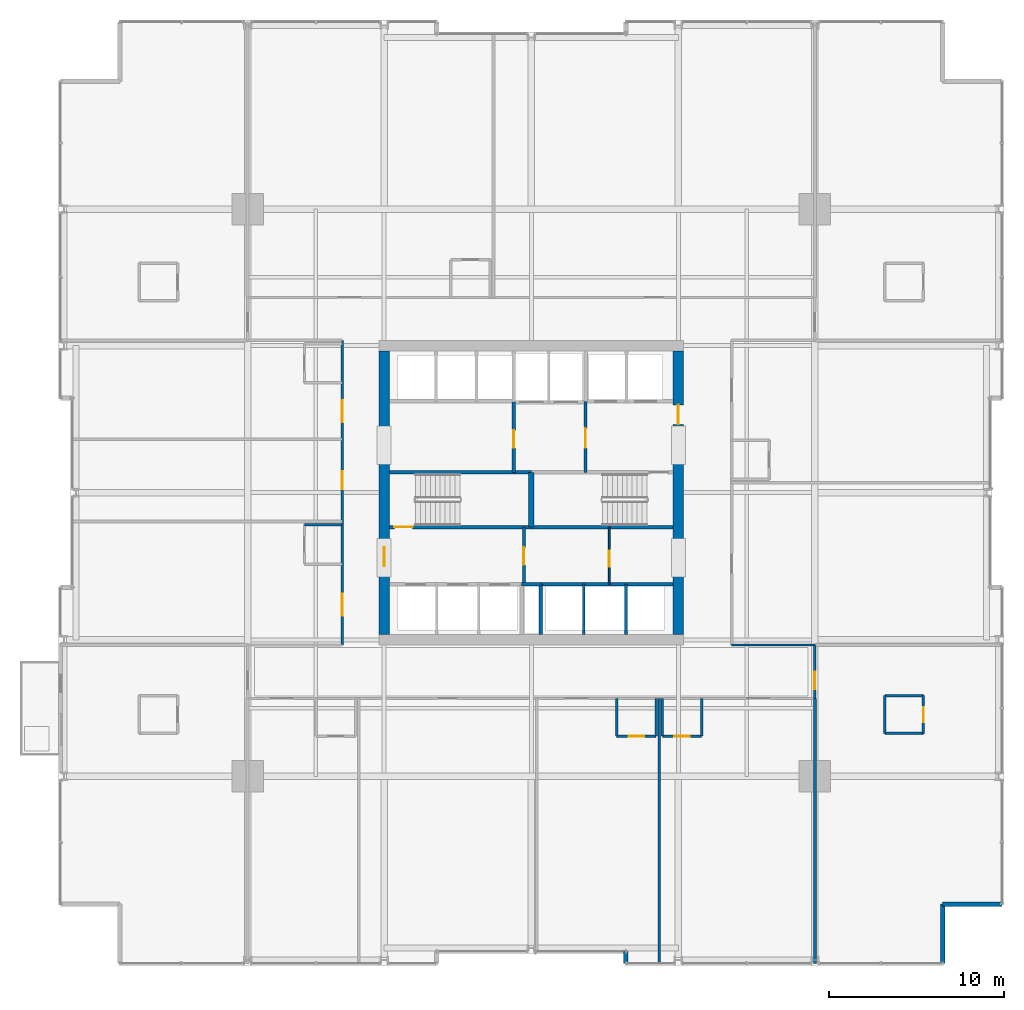
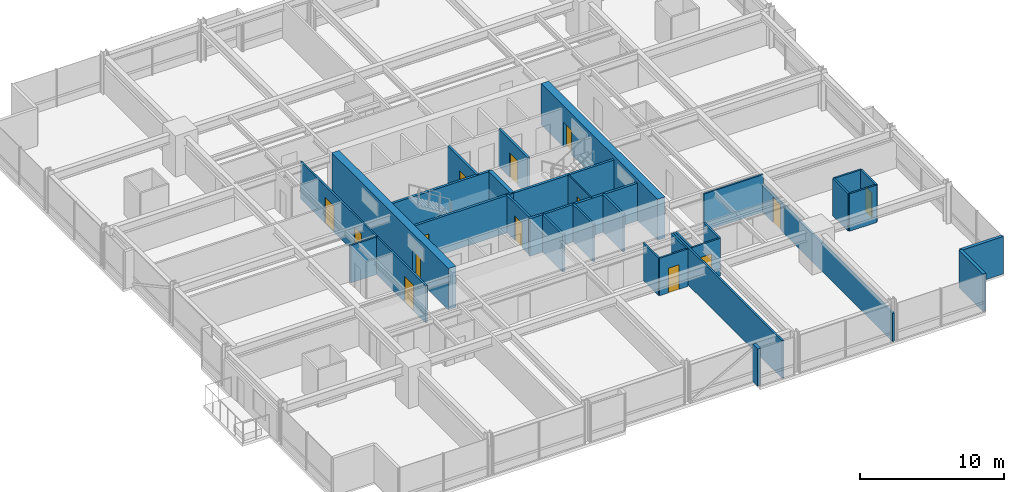
# One storey, part 31 of 37: 34 walls, 14 doors, 14 openings.
"""IFC4 building model written with IfcOpenShell, lengths in metres."""

from ifc_helpers import new_model, si_unit, direction, frame, frame_2d, origin, place, context, subcontext, project, spatial, rectangle, extrude, material, layer, layer_set, type_object, element, fill, save


model = new_model("IFC4")

# Units and contexts
model_context = context("Model", 3, precision=1e-05, world=origin(), true_north=direction((0.0, 1.0)))
body_context = subcontext(model_context, "Body", "Model", "MODEL_VIEW")
ifc_project = project(units=[si_unit("LENGTHUNIT", "METRE"), si_unit("AREAUNIT", "SQUARE_METRE"), si_unit("VOLUMEUNIT", "CUBIC_METRE"), si_unit("PLANEANGLEUNIT", "RADIAN"), si_unit("MASSUNIT", "GRAM", prefix="KILO")], contexts=[model_context])

# Site, building, storey
site_placement = place(None, origin())
site = spatial("IfcSite", under=ifc_project, at=site_placement, CompositionType="ELEMENT")
building_placement = place(site_placement, origin())
building = spatial("IfcBuilding", under=site, at=building_placement, Name="Drelvath Grand Hotel", CompositionType="ELEMENT")
storey_placement = place(building_placement, frame((0.0, 0.0, 78.699951171875)))
storey = spatial("IfcBuildingStorey", under=building, at=storey_placement, Name="L19", CompositionType="ELEMENT", Elevation=78.699951171875)

# Wall, opening, door
ifc_material_1 = material(Name="Gypsum Partition Board")
ifc_layer_1 = layer(ifc_material_1, 0.10009765625)
ifc_layer_set_1 = layer_set([ifc_layer_1], Name="Gypsum Partition Board")
wall_type_1 = type_object("IfcWallType", Name="Core Closet Partition 100", PredefinedType="PARTITIONING", material=ifc_layer_set_1)
wall_1_placement = place(storey_placement, frame((4.4599609375, 21.780029296875, 0.0), z_axis=(0.0, 0.0, 1.0), x_axis=(0.0, 1.0, 0.0)))
wall_1 = element("IfcWall", 1, at=wall_1_placement, inside=storey, type_object=wall_type_1, Name="L19 Housekeeping Split Wall", PredefinedType="PARTITIONING", context=body_context, shape_type="SweptSolid", body=[
    extrude(rectangle(XDim=3.260009765625, YDim=0.10009765625, at=frame_2d((1.6298828125, 0.0))), origin(), (0.0, 0.0, 1.0), 3.179931640625),
])
opening_1_placement = place(wall_1_placement, frame((1.0, 0.0, 0.0)))
opening_1 = element("IfcOpeningElement", 2, at=opening_1_placement, cuts=wall_1, Name="Opening D-T1G5-015", PredefinedType="OPENING", context=body_context, shape_type="SweptSolid", body=[
    extrude(rectangle(XDim=0.919921875, YDim=2.10009765625, at=frame_2d((0.4599609375, 1.050048828125))), frame((0.0, 0.06005859375, 0.0), z_axis=(0.0, -1.0, 0.0), x_axis=(1.0, 0.0, 0.0)), (0.0, 0.0, 1.0), 0.1201171875),
])
ifc_material_2 = material(Name="Painted Steel S275", Category="steel")
door_type_1 = type_object("IfcDoorType", Name="Staff Utility Door 920x2100", OperationType="NOTDEFINED", PredefinedType="DOOR", material=ifc_material_2)
door_1_placement = place(opening_1_placement, origin())
door_1 = element("IfcDoor", 3, at=door_1_placement, inside=storey, type_object=door_type_1, Name="L19 Core Store Door", OperationType="SINGLE_SWING_RIGHT", OverallHeight=2.10009765625, OverallWidth=0.919921875, PredefinedType="DOOR", context=body_context, shape_type="SweptSolid", body=[
    extrude(rectangle(XDim=0.919921875, YDim=2.10009765625, at=frame_2d((0.4599609375, 1.050048828125))), frame((0.0, 0.02490234375, 0.0), z_axis=(0.0, -1.0, 0.0), x_axis=(1.0, 0.0, 0.0)), (0.0, 0.0, 1.0), 0.050048828125),
])
fill(opening_1, door_1)

# Walls
ifc_material_3 = material(Name="Concrete C40/50", Category="concrete")
ifc_layer_2 = layer(ifc_material_3, 0.199951171875)
ifc_layer_set_2 = layer_set([ifc_layer_2], Name="Concrete C40/50")
wall_type_2 = type_object("IfcWallType", Name="Core Hoistway Fire Wall 200", PredefinedType="SOLIDWALL", material=ifc_layer_set_2)
wall_2_placement = place(storey_placement, frame((8.10009765625, 21.780029296875, 0.0), z_axis=(0.0, 0.0, 1.0), x_axis=(-1.0, 0.0, 0.0)))
element("IfcWall", 4, at=wall_2_placement, inside=storey, type_object=wall_type_2, Name="L19 Bank 2 Hoistway Wall", PredefinedType="SOLIDWALL", context=body_context, shape_type="SweptSolid", body=[
    extrude(rectangle(XDim=7.550048828125, YDim=0.199951171875, at=frame_2d((3.77490234375, 0.0))), origin(), (0.0, 0.0, 1.0), 3.179931640625),
])
wall_3_placement = place(storey_placement, frame((0.550048828125, 18.89990234375, 0.0), z_axis=(0.0, 0.0, 1.0), x_axis=(0.0, 1.0, 0.0)))
element("IfcWall", 5, at=wall_3_placement, inside=storey, type_object=wall_type_2, Name="L19 Bank 2 West Wall", PredefinedType="SOLIDWALL", context=body_context, shape_type="SweptSolid", body=[
    extrude(rectangle(XDim=2.880126953125, YDim=0.199951171875, at=frame_2d((1.43994140625, 0.0))), origin(), (0.0, 0.0, 1.0), 3.179931640625),
])
wall_4_placement = place(storey_placement, frame((-0.550048828125, 21.780029296875, 0.0), z_axis=(0.0, 0.0, 1.0), x_axis=(1.0, 0.0, 0.0)))
element("IfcWall", 6, at=wall_4_placement, inside=storey, type_object=wall_type_2, Name="L19 Core Riser Wall", PredefinedType="SOLIDWALL", context=body_context, shape_type="SweptSolid", body=[
    extrude(rectangle(XDim=1.10009765625, YDim=0.199951171875, at=frame_2d((0.550048828125, 0.0))), origin(), (0.0, 0.0, 1.0), 3.179931640625),
])

# Wall, opening, door
ifc_layer_3 = layer(ifc_material_3, 0.199951171875)
ifc_layer_set_3 = layer_set([ifc_layer_3], Name="Concrete C40/50")
wall_type_3 = type_object("IfcWallType", Name="Core Shaft Fire Wall 200", PredefinedType="SOLIDWALL", material=ifc_layer_set_3)
wall_5_placement = place(storey_placement, frame((-8.10009765625, 25.0400390625, 0.0), z_axis=(0.0, 0.0, 1.0), x_axis=(1.0, 0.0, 0.0)))
wall_5 = element("IfcWall", 7, at=wall_5_placement, inside=storey, type_object=wall_type_3, Name="L19 Stair ST-1 South Wall", PredefinedType="SOLIDWALL", context=body_context, shape_type="SweptSolid", body=[
    extrude(rectangle(XDim=8.10009765625, YDim=0.199951171875, at=frame_2d((4.050048828125, 0.0))), origin(), (0.0, 0.0, 1.0), 3.179931640625),
])
opening_2_placement = place(wall_5_placement, frame((0.280029296875, 0.0, 0.0)))
opening_2 = element("IfcOpeningElement", 8, at=opening_2_placement, cuts=wall_5, Name="Opening D-T1G5-001", PredefinedType="OPENING", context=body_context, shape_type="SweptSolid", body=[
    extrude(rectangle(XDim=1.050048828125, YDim=2.10009765625, at=frame_2d((0.52490234375, 1.050048828125))), frame((0.0, 0.10986328125, 0.0), z_axis=(0.0, -1.0, 0.0), x_axis=(1.0, 0.0, 0.0)), (0.0, 0.0, 1.0), 0.219970703125),
])
door_type_2 = type_object("IfcDoorType", Name="Tower Stairwell Fire Door 1050x2100", OperationType="NOTDEFINED", PredefinedType="DOOR", material=ifc_material_2)
door_2_placement = place(opening_2_placement, origin())
door_2 = element("IfcDoor", 9, at=door_2_placement, inside=storey, type_object=door_type_2, Name="L19 Exit Stair ST-1 Door", OperationType="SINGLE_SWING_LEFT", OverallHeight=2.10009765625, OverallWidth=1.050048828125, PredefinedType="DOOR", context=body_context, shape_type="SweptSolid", body=[
    extrude(rectangle(XDim=1.050048828125, YDim=2.10009765625, at=frame_2d((0.52490234375, 1.050048828125))), frame((0.0, 0.02490234375, 0.0), z_axis=(0.0, -1.0, 0.0), x_axis=(1.0, 0.0, 0.0)), (0.0, 0.0, 1.0), 0.050048828125),
])
fill(opening_2, door_2)

# Walls
for number, where, z_axis, x_axis, name in (
    (10, (-8.10009765625, 28.159912109375, 0.0), (0.0, 0.0, 1.0), (1.0, 0.0, 0.0), "L19 Stair ST-1 North Wall"),
    (11, (0.0, 25.0400390625, 0.0), (0.0, 0.0, 1.0), (1.0, 0.0, 0.0), "L19 Stair ST-2 South Wall"),
):
    element("IfcWall", number, at=place(storey_placement, frame(where, z_axis=z_axis, x_axis=x_axis)), inside=storey, type_object=wall_type_3, Name=name, PredefinedType="SOLIDWALL", context=body_context, shape_type="SweptSolid", body=[
        extrude(rectangle(XDim=8.10009765625, YDim=0.199951171875, at=frame_2d((4.050048828125, 0.0))), origin(), (0.0, 0.0, 1.0), 3.179931640625),
    ])
ifc_layer_4 = layer(ifc_material_3, 0.300048828125)
ifc_layer_set_4 = layer_set([ifc_layer_4], Name="Concrete C40/50")
wall_type_4 = type_object("IfcWallType", Name="Core Shaft Fire Wall 300", PredefinedType="SOLIDWALL", material=ifc_layer_set_4)
wall_6_placement = place(storey_placement, frame((0.0, 25.0400390625, 0.0), z_axis=(0.0, 0.0, 1.0), x_axis=(0.0, 1.0, 0.0)))
element("IfcWall", 12, at=wall_6_placement, inside=storey, type_object=wall_type_4, Name="L19 Core Stair Divider Wall", PredefinedType="SOLIDWALL", context=body_context, shape_type="SweptSolid", body=[
    extrude(rectangle(XDim=3.119873046875, YDim=0.300048828125, at=frame_2d((1.56005859375, 0.0))), origin(), (0.0, 0.0, 1.0), 3.179931640625),
])
ifc_material_4 = material(Name="Gypsum Fireboard Partition")
ifc_layer_5 = layer(ifc_material_4, 0.1650390625)
ifc_layer_set_5 = layer_set([ifc_layer_5], Name="Gypsum Fireboard Partition")
wall_type_5 = type_object("IfcWallType", Name="Core Shaft Partition 165", PredefinedType="PARTITIONING", material=ifc_layer_set_5)
for number, where, z_axis, x_axis, name in (
    (13, (3.0, 18.89990234375, 0.0), (0.0, 0.0, 1.0), (0.0, 1.0, 0.0), "L19 Lift PE-4/5 Divider"),
    (14, (5.39990234375, 18.89990234375, 0.0), (0.0, 0.0, 1.0), (0.0, 1.0, 0.0), "L19 Lift PE-5/6 Divider"),
):
    element("IfcWall", number, at=place(storey_placement, frame(where, z_axis=z_axis, x_axis=x_axis)), inside=storey, type_object=wall_type_5, Name=name, PredefinedType="PARTITIONING", context=body_context, shape_type="SweptSolid", body=[
        extrude(rectangle(XDim=2.880126953125, YDim=0.1650390625, at=frame_2d((1.43994140625, 0.0))), origin(), (0.0, 0.0, 1.0), 3.179931640625),
    ])
ifc_layer_6 = layer(ifc_material_4, 0.135009765625)
ifc_layer_set_6 = layer_set([ifc_layer_6], Name="Gypsum Fireboard Partition")
wall_type_6 = type_object("IfcWallType", Name="Corridor Fire Barrier Wall 135", PredefinedType="PARTITIONING", material=ifc_layer_set_6)
wall_7_placement = place(storey_placement, frame((11.449951171875, 18.300048828125, 0.0), z_axis=(0.0, 0.0, 1.0), x_axis=(1.0, 0.0, 0.0)))
element("IfcWall", 15, at=wall_7_placement, inside=storey, type_object=wall_type_6, Name="L19 SE Spur Inner Wall", PredefinedType="PARTITIONING", context=body_context, shape_type="SweptSolid", body=[
    extrude(rectangle(XDim=4.75, YDim=0.135009765625, at=frame_2d((2.375, 0.0))), origin(), (0.0, 0.0, 1.0), 3.179931640625),
])

# Wall, openings, doors
wall_8_placement = place(storey_placement, frame((-10.800048828125, 18.300048828125, 0.0), z_axis=(0.0, 0.0, 1.0), x_axis=(0.0, 1.0, 0.0)))
wall_8 = element("IfcWall", 16, at=wall_8_placement, inside=storey, type_object=wall_type_6, Name="L19 West Corridor Wall", PredefinedType="PARTITIONING", context=body_context, shape_type="SweptSolid", body=[
    extrude(rectangle(XDim=17.39990234375, YDim=0.135009765625, at=frame_2d((8.699951171875, 0.0))), origin(), (0.0, 0.0, 1.0), 3.179931640625),
])
opening_3_placement = place(wall_8_placement, frame((1.681884765625, 0.0, 0.0)))
opening_3 = element("IfcOpeningElement", 17, at=opening_3_placement, cuts=wall_8, Name="Opening D-T1G5-035", PredefinedType="OPENING", context=body_context, shape_type="SweptSolid", body=[
    extrude(rectangle(XDim=1.260009765625, YDim=2.199951171875, at=frame_2d((0.6298828125, 1.10009765625))), frame((0.0, 0.077392578125, 0.0), z_axis=(0.0, -1.0, 0.0), x_axis=(1.0, 0.0, 0.0)), (0.0, 0.0, 1.0), 0.155029296875),
])
opening_4_placement = place(wall_8_placement, frame((8.8955078125, 0.0, 0.0)))
opening_4 = element("IfcOpeningElement", 18, at=opening_4_placement, cuts=wall_8, Name="Opening D-T1G5-036", PredefinedType="OPENING", context=body_context, shape_type="SweptSolid", body=[
    extrude(rectangle(XDim=1.02001953125, YDim=2.14990234375, at=frame_2d((0.510009765625, 1.074951171875))), frame((0.0, 0.077392578125, 0.0), z_axis=(0.0, -1.0, 0.0), x_axis=(1.0, 0.0, 0.0)), (0.0, 0.0, 1.0), 0.155029296875),
])
opening_5_placement = place(wall_8_placement, frame((12.7333984375, 0.0, 0.0)))
opening_5 = element("IfcOpeningElement", 19, at=opening_5_placement, cuts=wall_8, Name="Opening D-T1G5-038", PredefinedType="OPENING", context=body_context, shape_type="SweptSolid", body=[
    extrude(rectangle(XDim=1.260009765625, YDim=2.199951171875, at=frame_2d((0.6298828125, 1.10009765625))), frame((0.0, 0.077392578125, 0.0), z_axis=(0.0, -1.0, 0.0), x_axis=(1.0, 0.0, 0.0)), (0.0, 0.0, 1.0), 0.155029296875),
])
ifc_material_5 = material(Name="Hardwood Walnut Timber", Category="wood")
door_type_3 = type_object("IfcDoorType", Name="Amenity Meeting Fire Door 1020x2150", OperationType="NOTDEFINED", PredefinedType="DOOR", material=ifc_material_5)
door_3_placement = place(opening_4_placement, origin())
door_3 = element("IfcDoor", 20, at=door_3_placement, inside=storey, type_object=door_type_3, Name="L19 Massage Therapy Room Entry Door", OperationType="SINGLE_SWING_LEFT", OverallHeight=2.14990234375, OverallWidth=1.02001953125, PredefinedType="DOOR", context=body_context, shape_type="SweptSolid", body=[
    extrude(rectangle(XDim=1.02001953125, YDim=2.14990234375, at=frame_2d((0.510009765625, 1.074951171875))), frame((0.0, 0.02490234375, 0.0), z_axis=(0.0, -1.0, 0.0), x_axis=(1.0, 0.0, 0.0)), (0.0, 0.0, 1.0), 0.050048828125),
])
fill(opening_4, door_3)
door_type_4 = type_object("IfcDoorType", Name="Suite Entrance Fire Door 1260x2200", OperationType="NOTDEFINED", PredefinedType="DOOR", material=ifc_material_5)
door_4_placement = place(opening_3_placement, origin())
door_4 = element("IfcDoor", 21, at=door_4_placement, inside=storey, type_object=door_type_4, Name="L19 Corner Suite Entry Door", OperationType="SINGLE_SWING_RIGHT", OverallHeight=2.199951171875, OverallWidth=1.260009765625, PredefinedType="DOOR", context=body_context, shape_type="SweptSolid", body=[
    extrude(rectangle(XDim=1.260009765625, YDim=2.199951171875, at=frame_2d((0.6298828125, 1.10009765625))), frame((0.0, 0.02490234375, 0.0), z_axis=(0.0, -1.0, 0.0), x_axis=(1.0, 0.0, 0.0)), (0.0, 0.0, 1.0), 0.050048828125),
])
fill(opening_3, door_4)
door_5_placement = place(opening_5_placement, origin())
door_5 = element("IfcDoor", 22, at=door_5_placement, inside=storey, type_object=door_type_4, Name="L19 Corner Suite Entry Door", OperationType="SINGLE_SWING_LEFT", OverallHeight=2.199951171875, OverallWidth=1.260009765625, PredefinedType="DOOR", context=body_context, shape_type="SweptSolid", body=[
    extrude(rectangle(XDim=1.260009765625, YDim=2.199951171875, at=frame_2d((0.6298828125, 1.10009765625))), frame((0.0, 0.02490234375, 0.0), z_axis=(0.0, -1.0, 0.0), x_axis=(1.0, 0.0, 0.0)), (0.0, 0.0, 1.0), 0.050048828125),
])
fill(opening_5, door_5)

# Wall, opening, door
wall_9_placement = place(storey_placement, frame((16.199951171875, 15.25, 0.0), z_axis=(0.0, 0.0, 1.0), x_axis=(0.0, 1.0, 0.0)))
wall_9 = element("IfcWall", 23, at=wall_9_placement, inside=storey, type_object=wall_type_6, Name="L19 South Corridor East End", PredefinedType="PARTITIONING", context=body_context, shape_type="SweptSolid", body=[
    extrude(rectangle(XDim=3.050048828125, YDim=0.135009765625, at=frame_2d((1.52490234375, 0.0))), origin(), (0.0, 0.0, 1.0), 2.391845703125),
])
opening_6_placement = place(wall_9_placement, frame((0.52001953125, 0.0, 0.0)))
opening_6 = element("IfcOpeningElement", 24, at=opening_6_placement, cuts=wall_9, Name="Opening D-T1G5-019", PredefinedType="OPENING", context=body_context, shape_type="SweptSolid", body=[
    extrude(rectangle(XDim=1.02001953125, YDim=2.14990234375, at=frame_2d((0.510009765625, 1.074951171875))), frame((0.0, 0.077392578125, 0.0), z_axis=(0.0, -1.0, 0.0), x_axis=(1.0, 0.0, 0.0)), (0.0, 0.0, 1.0), 0.155029296875),
])
door_6_placement = place(opening_6_placement, origin())
door_6 = element("IfcDoor", 25, at=door_6_placement, inside=storey, type_object=door_type_3, Name="L19 Corner Suite Entry Door", OperationType="SINGLE_SWING_RIGHT", OverallHeight=2.14990234375, OverallWidth=1.02001953125, PredefinedType="DOOR", context=body_context, shape_type="SweptSolid", body=[
    extrude(rectangle(XDim=1.02001953125, YDim=2.14990234375, at=frame_2d((0.510009765625, 1.074951171875))), frame((0.0, 0.02490234375, 0.0), z_axis=(0.0, -1.0, 0.0), x_axis=(1.0, 0.0, 0.0)), (0.0, 0.0, 1.0), 0.050048828125),
])
fill(opening_6, door_6)

# Walls
ifc_material_6 = material(Name="Moisture-Resistant Gypsum Board")
ifc_layer_7 = layer(ifc_material_6, 0.139892578125)
ifc_layer_set_7 = layer_set([ifc_layer_7], Name="Moisture-Resistant Gypsum Board")
wall_type_7 = type_object("IfcWallType", Name="En-Suite Plumbing Wall 140", PredefinedType="PLUMBINGWALL", material=ifc_layer_set_7)
for number, where, z_axis, x_axis, name in (
    (26, (20.199951171875, 13.260009765625, 0.0), (0.0, 0.0, 1.0), (1.0, 0.0, 0.0), "L19 Corner En-Suite South"),
    (27, (20.199951171875, 15.409912109375, 0.0), (0.0, 0.0, 1.0), (1.0, 0.0, 0.0), "L19 Corner En-Suite North"),
):
    element("IfcWall", number, at=place(storey_placement, frame(where, z_axis=z_axis, x_axis=x_axis)), inside=storey, type_object=wall_type_7, Name=name, PredefinedType="PLUMBINGWALL", context=body_context, shape_type="SweptSolid", body=[
        extrude(rectangle(XDim=2.199951171875, YDim=0.139892578125, at=frame_2d((1.10009765625, 0.0))), origin(), (0.0, 0.0, 1.0), 3.179931640625),
    ])
wall_10_placement = place(storey_placement, frame((20.199951171875, 13.260009765625, 0.0), z_axis=(0.0, 0.0, 1.0), x_axis=(0.0, 1.0, 0.0)))
element("IfcWall", 28, at=wall_10_placement, inside=storey, type_object=wall_type_7, Name="L19 Corner En-Suite West", PredefinedType="PLUMBINGWALL", context=body_context, shape_type="SweptSolid", body=[
    extrude(rectangle(XDim=2.14990234375, YDim=0.139892578125, at=frame_2d((1.074951171875, 0.0))), origin(), (0.0, 0.0, 1.0), 3.179931640625),
])

# Wall, opening, door
wall_11_placement = place(storey_placement, frame((22.39990234375, 13.260009765625, 0.0), z_axis=(0.0, 0.0, 1.0), x_axis=(0.0, 1.0, 0.0)))
wall_11 = element("IfcWall", 29, at=wall_11_placement, inside=storey, type_object=wall_type_7, Name="L19 Corner En-Suite East", PredefinedType="PLUMBINGWALL", context=body_context, shape_type="SweptSolid", body=[
    extrude(rectangle(XDim=2.14990234375, YDim=0.139892578125, at=frame_2d((1.074951171875, 0.0))), origin(), (0.0, 0.0, 1.0), 3.179931640625),
])
opening_7_placement = place(wall_11_placement, frame((0.6201171875, 0.0, 0.0)))
opening_7 = element("IfcOpeningElement", 30, at=opening_7_placement, cuts=wall_11, Name="Opening D-T1G5-018", PredefinedType="OPENING", context=body_context, shape_type="SweptSolid", body=[
    extrude(rectangle(XDim=0.8798828125, YDim=2.10009765625, at=frame_2d((0.43994140625, 1.050048828125))), frame((0.0, 0.079833984375, 0.0), z_axis=(0.0, -1.0, 0.0), x_axis=(1.0, 0.0, 0.0)), (0.0, 0.0, 1.0), 0.159912109375),
])
door_type_5 = type_object("IfcDoorType", Name="En-Suite Bathroom Door 880x2100", OperationType="NOTDEFINED", PredefinedType="DOOR", material=ifc_material_5)
door_7_placement = place(opening_7_placement, origin())
door_7 = element("IfcDoor", 31, at=door_7_placement, inside=storey, type_object=door_type_5, Name="L19 Corner En-Suite Door", OperationType="SINGLE_SWING_LEFT", OverallHeight=2.10009765625, OverallWidth=0.8798828125, PredefinedType="DOOR", context=body_context, shape_type="SweptSolid", body=[
    extrude(rectangle(XDim=0.8798828125, YDim=2.10009765625, at=frame_2d((0.43994140625, 1.050048828125))), frame((0.0, 0.02490234375, 0.0), z_axis=(0.0, -1.0, 0.0), x_axis=(1.0, 0.0, 0.0)), (0.0, 0.0, 1.0), 0.050048828125),
])
fill(opening_7, door_7)

# Walls
for number, where, z_axis, x_axis, name in (
    (32, (4.8759765625, 15.25, 0.0), (0.0, 0.0, 1.0), (0.0, -1.0, 0.0), "L19 En-Suite Left Wall"),
    (33, (7.1259765625, 15.25, 0.0), (0.0, 0.0, 1.0), (0.0, -1.0, 0.0), "L19 En-Suite Right Wall"),
):
    element("IfcWall", number, at=place(storey_placement, frame(where, z_axis=z_axis, x_axis=x_axis)), inside=storey, type_object=wall_type_7, Name=name, PredefinedType="PLUMBINGWALL", context=body_context, shape_type="SweptSolid", body=[
        extrude(rectangle(XDim=2.14990234375, YDim=0.139892578125, at=frame_2d((1.074951171875, 0.0))), origin(), (0.0, 0.0, 1.0), 3.179931640625),
    ])

# Wall, opening, door
wall_12_placement = place(storey_placement, frame((4.8759765625, 13.10009765625, 0.0), z_axis=(0.0, 0.0, 1.0), x_axis=(1.0, 0.0, 0.0)))
wall_12 = element("IfcWall", 34, at=wall_12_placement, inside=storey, type_object=wall_type_7, Name="L19 En-Suite Front Wall", PredefinedType="PLUMBINGWALL", context=body_context, shape_type="SweptSolid", body=[
    extrude(rectangle(XDim=2.25, YDim=0.139892578125, at=frame_2d((1.125, 0.0))), origin(), (0.0, 0.0, 1.0), 3.179931640625),
])
opening_8_placement = place(wall_12_placement, frame((0.68505859375, 0.0, 0.0)))
opening_8 = element("IfcOpeningElement", 35, at=opening_8_placement, cuts=wall_12, Name="Opening D-T1G5-027", PredefinedType="OPENING", context=body_context, shape_type="SweptSolid", body=[
    extrude(rectangle(XDim=0.8798828125, YDim=2.10009765625, at=frame_2d((0.43994140625, 1.050048828125))), frame((0.0, 0.079833984375, 0.0), z_axis=(0.0, -1.0, 0.0), x_axis=(1.0, 0.0, 0.0)), (0.0, 0.0, 1.0), 0.159912109375),
])
door_8_placement = place(opening_8_placement, origin())
door_8 = element("IfcDoor", 36, at=door_8_placement, inside=storey, type_object=door_type_5, Name="L19 En-Suite Bathroom Door", OperationType="SINGLE_SWING_RIGHT", OverallHeight=2.10009765625, OverallWidth=0.8798828125, PredefinedType="DOOR", context=body_context, shape_type="SweptSolid", body=[
    extrude(rectangle(XDim=0.8798828125, YDim=2.10009765625, at=frame_2d((0.43994140625, 1.050048828125))), frame((0.0, 0.02490234375, 0.0), z_axis=(0.0, -1.0, 0.0), x_axis=(1.0, 0.0, 0.0)), (0.0, 0.0, 1.0), 0.050048828125),
])
fill(opening_8, door_8)

# Walls
for number, where, z_axis, x_axis, name in (
    (37, (7.48583984375, 15.25, 0.0), (0.0, 0.0, 1.0), (0.0, -1.0, 0.0), "L19 En-Suite Left Wall"),
    (38, (9.73583984375, 15.25, 0.0), (0.0, 0.0, 1.0), (0.0, -1.0, 0.0), "L19 En-Suite Right Wall"),
):
    element("IfcWall", number, at=place(storey_placement, frame(where, z_axis=z_axis, x_axis=x_axis)), inside=storey, type_object=wall_type_7, Name=name, PredefinedType="PLUMBINGWALL", context=body_context, shape_type="SweptSolid", body=[
        extrude(rectangle(XDim=2.14990234375, YDim=0.139892578125, at=frame_2d((1.074951171875, 0.0))), origin(), (0.0, 0.0, 1.0), 3.179931640625),
    ])

# Wall, opening, door
wall_13_placement = place(storey_placement, frame((7.48583984375, 13.10009765625, 0.0), z_axis=(0.0, 0.0, 1.0), x_axis=(1.0, 0.0, 0.0)))
wall_13 = element("IfcWall", 39, at=wall_13_placement, inside=storey, type_object=wall_type_7, Name="L19 En-Suite Front Wall", PredefinedType="PLUMBINGWALL", context=body_context, shape_type="SweptSolid", body=[
    extrude(rectangle(XDim=2.25, YDim=0.139892578125, at=frame_2d((1.125, 0.0))), origin(), (0.0, 0.0, 1.0), 3.179931640625),
])
opening_9_placement = place(wall_13_placement, frame((0.68505859375, 0.0, 0.0)))
opening_9 = element("IfcOpeningElement", 40, at=opening_9_placement, cuts=wall_13, Name="Opening D-T1G5-029", PredefinedType="OPENING", context=body_context, shape_type="SweptSolid", body=[
    extrude(rectangle(XDim=0.8798828125, YDim=2.10009765625, at=frame_2d((0.43994140625, 1.050048828125))), frame((0.0, 0.079833984375, 0.0), z_axis=(0.0, -1.0, 0.0), x_axis=(1.0, 0.0, 0.0)), (0.0, 0.0, 1.0), 0.159912109375),
])
door_9_placement = place(opening_9_placement, origin())
door_9 = element("IfcDoor", 41, at=door_9_placement, inside=storey, type_object=door_type_5, Name="L19 En-Suite Bathroom Door", OperationType="SINGLE_SWING_RIGHT", OverallHeight=2.10009765625, OverallWidth=0.8798828125, PredefinedType="DOOR", context=body_context, shape_type="SweptSolid", body=[
    extrude(rectangle(XDim=0.8798828125, YDim=2.10009765625, at=frame_2d((0.43994140625, 1.050048828125))), frame((0.0, 0.02490234375, 0.0), z_axis=(0.0, -1.0, 0.0), x_axis=(1.0, 0.0, 0.0)), (0.0, 0.0, 1.0), 0.050048828125),
])
fill(opening_9, door_9)

# Wall
wall_14_placement = place(storey_placement, frame((-10.800048828125, 25.174072265625, 0.0), z_axis=(0.0, 0.0, 1.0), x_axis=(-1.0, 0.0, 0.0)))
element("IfcWall", 42, at=wall_14_placement, inside=storey, type_object=wall_type_7, Name="L19 En-Suite Right Wall", PredefinedType="PLUMBINGWALL", context=body_context, shape_type="SweptSolid", body=[
    extrude(rectangle(XDim=2.14990234375, YDim=0.139892578125, at=frame_2d((1.074951171875, 0.0))), origin(), (0.0, 0.0, 1.0), 3.179931640625),
])

# Wall, opening, door
ifc_layer_8 = layer(ifc_material_4, 0.179931640625)
ifc_layer_set_8 = layer_set([ifc_layer_8], Name="Gypsum Fireboard Partition")
wall_type_8 = type_object("IfcWallType", Name="FSAE Smoke Lobby Fire Wall 180", PredefinedType="SOLIDWALL", material=ifc_layer_set_8)
wall_15_placement = place(storey_placement, frame((3.10009765625, 28.159912109375, 0.0), z_axis=(0.0, 0.0, 1.0), x_axis=(0.0, 1.0, 0.0)))
wall_15 = element("IfcWall", 43, at=wall_15_placement, inside=storey, type_object=wall_type_8, Name="L19 FSAE Smoke Lobby West Wall", PredefinedType="SOLIDWALL", context=body_context, shape_type="SweptSolid", body=[
    extrude(rectangle(XDim=4.06005859375, YDim=0.179931640625, at=frame_2d((2.030029296875, 0.0))), origin(), (0.0, 0.0, 1.0), 3.179931640625),
])
opening_10_placement = place(wall_15_placement, frame((1.39990234375, 0.0, 0.0)))
opening_10 = element("IfcOpeningElement", 44, at=opening_10_placement, cuts=wall_15, Name="Opening D-T1G5-005", PredefinedType="OPENING", context=body_context, shape_type="SweptSolid", body=[
    extrude(rectangle(XDim=1.1201171875, YDim=2.10009765625, at=frame_2d((0.56005859375, 1.050048828125))), frame((0.0, 0.099853515625, 0.0), z_axis=(0.0, -1.0, 0.0), x_axis=(1.0, 0.0, 0.0)), (0.0, 0.0, 1.0), 0.199951171875),
])
door_type_6 = type_object("IfcDoorType", Name="FSAE Smoke Lobby Fire Door 1120x2100", OperationType="NOTDEFINED", PredefinedType="DOOR", material=ifc_material_2)
door_10_placement = place(opening_10_placement, origin())
door_10 = element("IfcDoor", 45, at=door_10_placement, inside=storey, type_object=door_type_6, Name="L19 FSAE Lobby Service Vestibule Door", OperationType="SINGLE_SWING_RIGHT", OverallHeight=2.10009765625, OverallWidth=1.1201171875, PredefinedType="DOOR", context=body_context, shape_type="SweptSolid", body=[
    extrude(rectangle(XDim=1.1201171875, YDim=2.10009765625, at=frame_2d((0.56005859375, 1.050048828125))), frame((0.0, 0.02490234375, 0.0), z_axis=(0.0, -1.0, 0.0), x_axis=(1.0, 0.0, 0.0)), (0.0, 0.0, 1.0), 0.050048828125),
])
fill(opening_10, door_10)

wall_16_placement = place(storey_placement, frame((-1.0, 28.159912109375, 0.0), z_axis=(0.0, 0.0, 1.0), x_axis=(0.0, 1.0, 0.0)))
wall_16 = element("IfcWall", 46, at=wall_16_placement, inside=storey, type_object=wall_type_8, Name="L19 Service Vestibule West Wall", PredefinedType="SOLIDWALL", context=body_context, shape_type="SweptSolid", body=[
    extrude(rectangle(XDim=4.02001953125, YDim=0.179931640625, at=frame_2d((2.010009765625, 0.0))), origin(), (0.0, 0.0, 1.0), 3.179931640625),
])
opening_11_placement = place(wall_16_placement, frame((1.39990234375, 0.0, 0.0)))
opening_11 = element("IfcOpeningElement", 47, at=opening_11_placement, cuts=wall_16, Name="Opening D-T1G5-009", PredefinedType="OPENING", context=body_context, shape_type="SweptSolid", body=[
    extrude(rectangle(XDim=1.0, YDim=2.10009765625, at=frame_2d((0.5, 1.050048828125))), frame((0.0, 0.099853515625, 0.0), z_axis=(0.0, -1.0, 0.0), x_axis=(1.0, 0.0, 0.0)), (0.0, 0.0, 1.0), 0.199951171875),
])
door_type_7 = type_object("IfcDoorType", Name="Core Service Fire Door 1000x2100", OperationType="NOTDEFINED", PredefinedType="DOOR", material=ifc_material_2)
door_11_placement = place(opening_11_placement, origin())
door_11 = element("IfcDoor", 48, at=door_11_placement, inside=storey, type_object=door_type_7, Name="L19 Service Vestibule West Door", OperationType="SINGLE_SWING_LEFT", OverallHeight=2.10009765625, OverallWidth=1.0, PredefinedType="DOOR", context=body_context, shape_type="SweptSolid", body=[
    extrude(rectangle(XDim=1.0, YDim=2.10009765625, at=frame_2d((0.5, 1.050048828125))), frame((0.0, 0.02490234375, 0.0), z_axis=(0.0, -1.0, 0.0), x_axis=(1.0, 0.0, 0.0)), (0.0, 0.0, 1.0), 0.050048828125),
])
fill(opening_11, door_11)

wall_17_placement = place(storey_placement, frame((-0.419921875, 21.780029296875, 0.0), z_axis=(0.0, 0.0, 1.0), x_axis=(0.0, 1.0, 0.0)))
wall_17 = element("IfcWall", 49, at=wall_17_placement, inside=storey, type_object=wall_type_8, Name="L19 Low-Rise Lobby East Wall", PredefinedType="SOLIDWALL", context=body_context, shape_type="SweptSolid", body=[
    extrude(rectangle(XDim=3.260009765625, YDim=0.179931640625, at=frame_2d((1.6298828125, 0.0))), origin(), (0.0, 0.0, 1.0), 3.179931640625),
])
opening_12_placement = place(wall_17_placement, frame((1.10009765625, 0.0, 0.0)))
opening_12 = element("IfcOpeningElement", 50, at=opening_12_placement, cuts=wall_17, Name="Opening D-T1G5-013", PredefinedType="OPENING", context=body_context, shape_type="SweptSolid", body=[
    extrude(rectangle(XDim=1.0, YDim=2.10009765625, at=frame_2d((0.5, 1.050048828125))), frame((0.0, 0.099853515625, 0.0), z_axis=(0.0, -1.0, 0.0), x_axis=(1.0, 0.0, 0.0)), (0.0, 0.0, 1.0), 0.199951171875),
])
door_12_placement = place(opening_12_placement, origin())
door_12 = element("IfcDoor", 51, at=door_12_placement, inside=storey, type_object=door_type_7, Name="L19 Housekeeping Entry Door", OperationType="SINGLE_SWING_RIGHT", OverallHeight=2.10009765625, OverallWidth=1.0, PredefinedType="DOOR", context=body_context, shape_type="SweptSolid", body=[
    extrude(rectangle(XDim=1.0, YDim=2.10009765625, at=frame_2d((0.5, 1.050048828125))), frame((0.0, 0.02490234375, 0.0), z_axis=(0.0, -1.0, 0.0), x_axis=(1.0, 0.0, 0.0)), (0.0, 0.0, 1.0), 0.050048828125),
])
fill(opening_12, door_12)

# Wall
ifc_material_7 = material(Name="Gypsum Acoustic Partition")
ifc_layer_9 = layer(ifc_material_7, 0.14990234375)
ifc_layer_set_9 = layer_set([ifc_layer_9], Name="Gypsum Acoustic Partition")
wall_type_9 = type_object("IfcWallType", Name="Guestroom Demising Wall 150", PredefinedType="PARTITIONING", material=ifc_layer_set_9)
wall_18_placement = place(storey_placement, frame((7.305908203125, 0.1201171875, 0.0), z_axis=(0.0, 0.0, 1.0), x_axis=(0.0, 1.0, 0.0)))
element("IfcWall", 52, at=wall_18_placement, inside=storey, type_object=wall_type_9, Name="L19 South Demising 3", PredefinedType="PARTITIONING", context=body_context, shape_type="SweptSolid", body=[
    extrude(rectangle(XDim=15.1298828125, YDim=0.14990234375, at=frame_2d((7.56494140625, 0.0))), origin(), (0.0, 0.0, 1.0), 3.179931640625),
])

# Wall, opening, door
ifc_material_8 = material(Name="Concrete f'c 70 MPa", Category="concrete")
ifc_layer_10 = layer(ifc_material_8, 0.60009765625)
ifc_layer_set_10 = layer_set([ifc_layer_10], Name="Concrete f'c 70 MPa")
wall_type_10 = type_object("IfcWallType", Name="Lower Core RC Shear Wall 600", PredefinedType="SHEAR", material=ifc_layer_set_10)
wall_19_placement = place(storey_placement, frame((8.39990234375, 35.10009765625, 0.0), z_axis=(0.0, 0.0, 1.0), x_axis=(0.0, -1.0, 0.0)))
wall_19 = element("IfcWall", 53, at=wall_19_placement, inside=storey, type_object=wall_type_10, Name="L19 Central Core Shear Wall E", PredefinedType="SHEAR", context=body_context, shape_type="SweptSolid", body=[
    extrude(rectangle(XDim=16.2001953125, YDim=0.60009765625, at=frame_2d((8.10009765625, 0.0))), origin(), (0.0, 0.0, 1.0), 3.5),
])
opening_13_placement = place(wall_19_placement, frame((3.080078125, 0.0, 0.0)))
opening_13 = element("IfcOpeningElement", 54, at=opening_13_placement, cuts=wall_19, Name="Opening D-T1G5-006", PredefinedType="OPENING", context=body_context, shape_type="SweptSolid", body=[
    extrude(rectangle(XDim=1.1201171875, YDim=2.10009765625, at=frame_2d((0.56005859375, 1.050048828125))), frame((0.0, 0.31005859375, 0.0), z_axis=(0.0, -1.0, 0.0), x_axis=(1.0, 0.0, 0.0)), (0.0, 0.0, 1.0), 0.6201171875),
])
door_13_placement = place(opening_13_placement, origin())
door_13 = element("IfcDoor", 55, at=door_13_placement, inside=storey, type_object=door_type_6, Name="L19 FSAE Lobby East Corridor Door", OperationType="SINGLE_SWING_LEFT", OverallHeight=2.10009765625, OverallWidth=1.1201171875, PredefinedType="DOOR", context=body_context, shape_type="SweptSolid", body=[
    extrude(rectangle(XDim=1.1201171875, YDim=2.10009765625, at=frame_2d((0.56005859375, 1.050048828125))), frame((0.0, 0.02490234375, 0.0), z_axis=(0.0, -1.0, 0.0), x_axis=(1.0, 0.0, 0.0)), (0.0, 0.0, 1.0), 0.050048828125),
])
fill(opening_13, door_13)

wall_20_placement = place(storey_placement, frame((-8.39990234375, 18.89990234375, 0.0), z_axis=(0.0, 0.0, 1.0), x_axis=(0.0, 1.0, 0.0)))
wall_20 = element("IfcWall", 56, at=wall_20_placement, inside=storey, type_object=wall_type_10, Name="L19 Central Core Shear Wall W", PredefinedType="SHEAR", context=body_context, shape_type="SweptSolid", body=[
    extrude(rectangle(XDim=16.2001953125, YDim=0.60009765625, at=frame_2d((8.10009765625, 0.0))), origin(), (0.0, 0.0, 1.0), 3.5),
])
opening_14_placement = place(wall_20_placement, frame((3.89990234375, 0.0, 0.0)))
opening_14 = element("IfcOpeningElement", 57, at=opening_14_placement, cuts=wall_20, Name="Opening D-T1G5-014", PredefinedType="OPENING", context=body_context, shape_type="SweptSolid", body=[
    extrude(rectangle(XDim=1.080078125, YDim=2.0400390625, at=frame_2d((0.5400390625, 1.02001953125))), frame((0.0, 0.31005859375, 0.0), z_axis=(0.0, -1.0, 0.0), x_axis=(1.0, 0.0, 0.0)), (0.0, 0.0, 1.0), 0.6201171875),
])
door_type_8 = type_object("IfcDoorType", Name="Core Corridor Fire Door 1080x2100", OperationType="NOTDEFINED", PredefinedType="DOOR", material=ifc_material_2)
door_14_placement = place(opening_14_placement, origin())
door_14 = element("IfcDoor", 58, at=door_14_placement, inside=storey, type_object=door_type_8, Name="L19 Low-Rise Lobby West Door", OperationType="SINGLE_SWING_LEFT", OverallHeight=2.0400390625, OverallWidth=1.080078125, PredefinedType="DOOR", context=body_context, shape_type="SweptSolid", body=[
    extrude(rectangle(XDim=1.080078125, YDim=2.0400390625, at=frame_2d((0.5400390625, 1.02001953125))), frame((0.0, 0.02490234375, 0.0), z_axis=(0.0, -1.0, 0.0), x_axis=(1.0, 0.0, 0.0)), (0.0, 0.0, 1.0), 0.050048828125),
])
fill(opening_14, door_14)

# Walls
ifc_layer_11 = layer(ifc_material_7, 0.1650390625)
ifc_layer_set_11 = layer_set([ifc_layer_11], Name="Gypsum Acoustic Partition")
wall_type_11 = type_object("IfcWallType", Name="Suite Demising Wall 165", PredefinedType="PARTITIONING", material=ifc_layer_set_11)
wall_21_placement = place(storey_placement, frame((16.199951171875, 0.1201171875, 0.0), z_axis=(0.0, 0.0, 1.0), x_axis=(0.0, 1.0, 0.0)))
element("IfcWall", 59, at=wall_21_placement, inside=storey, type_object=wall_type_11, Name="L19 SE Wing Boundary Wall", PredefinedType="PARTITIONING", context=body_context, shape_type="SweptSolid", body=[
    extrude(rectangle(XDim=15.1298828125, YDim=0.1650390625, at=frame_2d((7.56494140625, 0.0))), origin(), (0.0, 0.0, 1.0), 2.391845703125),
])
ifc_material_9 = material(Name="Pale-Metal Insulated Aluminium Spandrel Assembly", Category="aluminium")
ifc_layer_12 = layer(ifc_material_9, 0.239990234375)
ifc_layer_set_12 = layer_set([ifc_layer_12], Name="Pale-Metal Insulated Aluminium Spandrel Assembly")
wall_type_12 = type_object("IfcWallType", Name="Tower Insulated Metal Spandrel Closure Wall 240", PredefinedType="STANDARD", material=ifc_layer_set_12)
for number, where, z_axis, x_axis, name in (
    (60, (26.8798828125, 3.5, 0.0), (0.0, 0.0, 1.0), (-1.0, 0.0, 0.0), "L19 Notched Corner Return Spandrel Wall CSE1"),
    (61, (23.5, 3.5, 0.0), (0.0, 0.0, 1.0), (0.0, -1.0, 0.0), "L19 Notched Corner Return Spandrel Wall CSE2"),
):
    element("IfcWall", number, at=place(storey_placement, frame(where, z_axis=z_axis, x_axis=x_axis)), inside=storey, type_object=wall_type_12, Name=name, PredefinedType="STANDARD", context=body_context, shape_type="SweptSolid", body=[
        extrude(rectangle(XDim=3.3798828125, YDim=0.239990234375, at=frame_2d((1.68994140625, 0.0))), origin(), (0.0, 0.0, 1.0), 3.179931640625),
    ])
wall_22_placement = place(storey_placement, frame((5.39990234375, 0.1201171875, 0.0), z_axis=(0.0, 0.0, 1.0), x_axis=(0.0, 1.0, 0.0)))
element("IfcWall", 62, at=wall_22_placement, inside=storey, type_object=wall_type_12, Name="L19 Notched Corner Return Spandrel Wall RS1", PredefinedType="STANDARD", context=body_context, shape_type="SweptSolid", body=[
    extrude(rectangle(XDim=0.679931640625, YDim=0.239990234375, at=frame_2d((0.33984375, 0.0))), origin(), (0.0, 0.0, 1.0), 3.179931640625),
])

save(model, "model.ifc")
